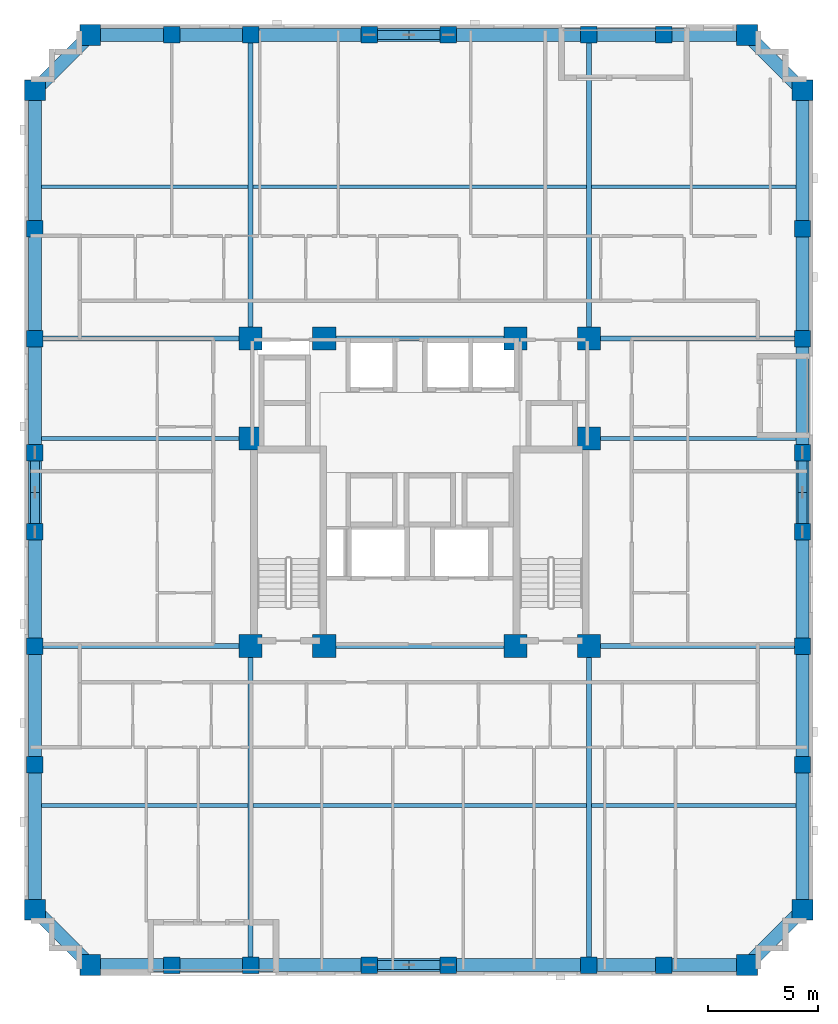
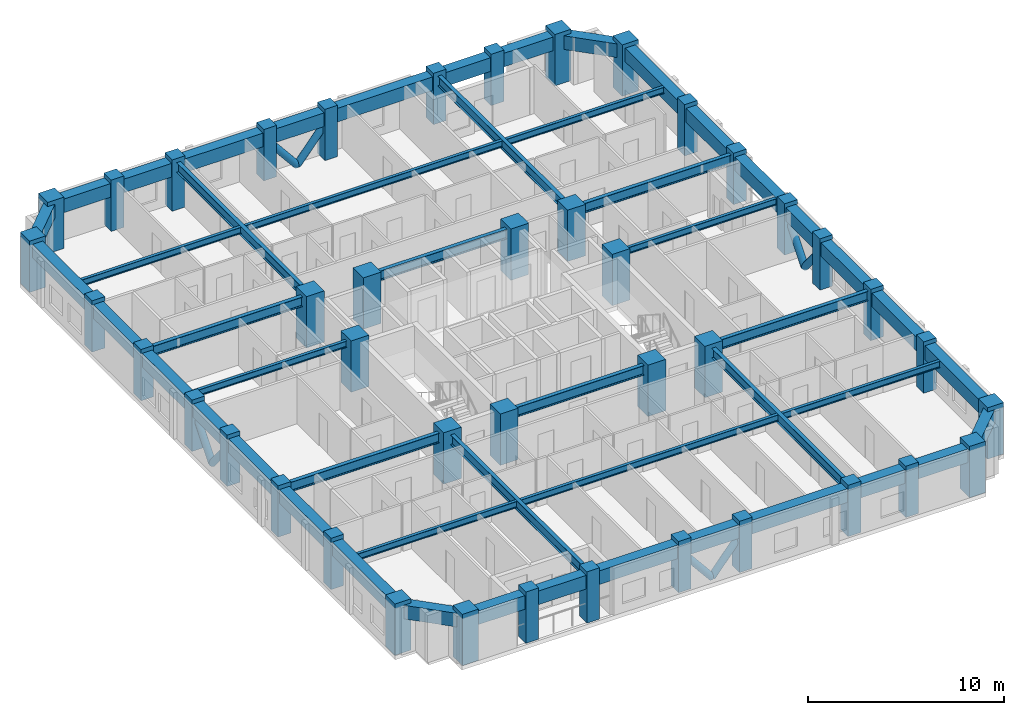
# One storey, part 1 of 12: 50 beams, 42 columns, 8 members.
"""IFC4 building model written with IfcOpenShell, lengths in metres."""

from ifc_helpers import new_model, si_unit, derived_unit, direction, frame, origin, origin_2d, place, context, subcontext, project, spatial, rectangle, hollow_circle, i_section, extrude, material, material_profile, profile_set, type_object, element, save


model = new_model("IFC4")

# Units and contexts
model_context = context("Model", 3, precision=1e-05, world=origin(), true_north=direction((0.0, 1.0)))
body_context = subcontext(model_context, "Body", "Model", "MODEL_VIEW")
ifc_project = project(units=[si_unit("LENGTHUNIT", "METRE"), si_unit("AREAUNIT", "SQUARE_METRE"), si_unit("VOLUMEUNIT", "CUBIC_METRE"), si_unit("PLANEANGLEUNIT", "RADIAN"), si_unit("MASSUNIT", "GRAM", prefix="KILO"), derived_unit("THERMALTRANSMITTANCEUNIT", [(si_unit("MASSUNIT", "GRAM", prefix="KILO"), 1), (si_unit("TIMEUNIT", "SECOND"), -3), (si_unit("THERMODYNAMICTEMPERATUREUNIT", "KELVIN"), -1)])], contexts=[model_context])

# Site, building, storey
site_placement = place(None, origin())
site = spatial("IfcSite", under=ifc_project, at=site_placement, CompositionType="ELEMENT")
building_placement = place(site_placement, origin())
building = spatial("IfcBuilding", under=site, at=building_placement, Name="Korrvale Station Residences", CompositionType="ELEMENT")
storey_placement = place(building_placement, frame((0.0, 0.0, 110.300048828125)))
storey = spatial("IfcBuildingStorey", under=building, at=storey_placement, Name="L31", CompositionType="ELEMENT", Elevation=110.300048828125)

# Columns
ifc_material_1 = material(Name="Concrete C60/75", Category="concrete")
ifc_material_profile_1 = material_profile(ifc_material_1, rectangle(XDim=1.050048828125, YDim=1.050048828125, at=origin_2d()), Name="RC1050x1050")
ifc_profile_set_1 = profile_set([ifc_material_profile_1], Name="Concrete C60/75")
column_type_1 = type_object("IfcColumnType", Name="COL-C-RC1050x1050-C6075", PredefinedType="COLUMN", material=ifc_profile_set_1)
for number, where, z_axis, x_axis, name in (
    (1, (17.800048828125, 15.0, 0.0), (0.0, 0.0, 1.0), (1.0, 0.0, 0.0), "L31 Core Column 01"),
    (2, (21.14990234375, 15.0, 0.0), (0.0, 0.0, 1.0), (1.0, 0.0, 0.0), "L31 Core Column 02"),
    (3, (29.85009765625, 15.0, 0.0), (0.0, 0.0, 1.0), (1.0, 0.0, 0.0), "L31 Core Column 03"),
    (4, (33.199951171875, 15.0, 0.0), (0.0, 0.0, 1.0), (1.0, 0.0, 0.0), "L31 Core Column 04"),
    (5, (17.800048828125, 29.0, 0.0), (0.0, 0.0, 1.0), (1.0, 0.0, 0.0), "L31 Core Column 05"),
    (6, (21.14990234375, 29.0, 0.0), (0.0, 0.0, 1.0), (1.0, 0.0, 0.0), "L31 Core Column 06"),
    (7, (29.85009765625, 29.0, 0.0), (0.0, 0.0, 1.0), (1.0, 0.0, 0.0), "L31 Core Column 07"),
    (8, (33.199951171875, 29.0, 0.0), (0.0, 0.0, 1.0), (1.0, 0.0, 0.0), "L31 Core Column 08"),
    (9, (17.800048828125, 24.449951171875, 0.0), (0.0, 0.0, 1.0), (1.0, 0.0, 0.0), "L31 Core Column 09"),
    (10, (33.199951171875, 24.449951171875, 0.0), (0.0, 0.0, 1.0), (1.0, 0.0, 0.0), "L31 Core Column 10"),
):
    element("IfcColumn", number, at=place(storey_placement, frame(where, z_axis=z_axis, x_axis=x_axis)), inside=storey, type_object=column_type_1, Name=name, PredefinedType="COLUMN", context=body_context, shape_type="SweptSolid", body=[
        extrude(rectangle(XDim=1.050048828125, YDim=1.050048828125, at=origin_2d()), origin(), (0.0, 0.0, 1.0), 3.199951171875),
    ])
ifc_material_profile_2 = material_profile(ifc_material_1, rectangle(XDim=0.75, YDim=0.75, at=origin_2d()), Name="RC750x750")
ifc_profile_set_2 = profile_set([ifc_material_profile_2], Name="Concrete C60/75")
column_type_2 = type_object("IfcColumnType", Name="COL-C-RC750x750-C6075", PredefinedType="COLUMN", material=ifc_profile_set_2)
for number, where, z_axis, x_axis, name in (
    (11, (14.199951171875, 0.47998046875, 0.0), (0.0, 0.0, 1.0), (1.0, 0.0, 0.0), "L31 Bundled-Tube South Column 02"),
    (12, (17.800048828125, 0.47998046875, 0.0), (0.0, 0.0, 1.0), (1.0, 0.0, 0.0), "L31 Bundled-Tube South Column 03"),
    (13, (23.199951171875, 0.47998046875, 0.0), (0.0, 0.0, 1.0), (1.0, 0.0, 0.0), "L31 Bundled-Tube South Column 04"),
    (14, (26.800048828125, 0.47998046875, 0.0), (0.0, 0.0, 1.0), (1.0, 0.0, 0.0), "L31 Bundled-Tube South Column 05"),
    (15, (33.199951171875, 0.47998046875, 0.0), (0.0, 0.0, 1.0), (1.0, 0.0, 0.0), "L31 Bundled-Tube South Column 06"),
    (16, (36.60009765625, 0.47998046875, 0.0), (0.0, 0.0, 1.0), (1.0, 0.0, 0.0), "L31 Bundled-Tube South Column 07"),
    (17, (14.199951171875, 42.820068359375, 0.0), (0.0, 0.0, 1.0), (1.0, 0.0, 0.0), "L31 Bundled-Tube North Column 10"),
    (18, (17.800048828125, 42.820068359375, 0.0), (0.0, 0.0, 1.0), (1.0, 0.0, 0.0), "L31 Bundled-Tube North Column 11"),
    (19, (23.199951171875, 42.820068359375, 0.0), (0.0, 0.0, 1.0), (1.0, 0.0, 0.0), "L31 Bundled-Tube North Column 12"),
    (20, (26.800048828125, 42.820068359375, 0.0), (0.0, 0.0, 1.0), (1.0, 0.0, 0.0), "L31 Bundled-Tube North Column 13"),
    (21, (33.199951171875, 42.820068359375, 0.0), (0.0, 0.0, 1.0), (1.0, 0.0, 0.0), "L31 Bundled-Tube North Column 14"),
    (22, (36.60009765625, 42.820068359375, 0.0), (0.0, 0.0, 1.0), (1.0, 0.0, 0.0), "L31 Bundled-Tube North Column 15"),
    (23, (7.97998046875, 9.60009765625, 0.0), (0.0, 0.0, 1.0), (1.0, 0.0, 0.0), "L31 Bundled-Tube West Column 18"),
    (24, (7.97998046875, 15.0, 0.0), (0.0, 0.0, 1.0), (1.0, 0.0, 0.0), "L31 Bundled-Tube West Column 19"),
    (25, (7.97998046875, 20.199951171875, 0.0), (0.0, 0.0, 1.0), (1.0, 0.0, 0.0), "L31 Bundled-Tube West Column 20"),
    (26, (7.97998046875, 23.800048828125, 0.0), (0.0, 0.0, 1.0), (1.0, 0.0, 0.0), "L31 Bundled-Tube West Column 21"),
    (27, (7.97998046875, 29.0, 0.0), (0.0, 0.0, 1.0), (1.0, 0.0, 0.0), "L31 Bundled-Tube West Column 22"),
    (28, (7.97998046875, 34.0, 0.0), (0.0, 0.0, 1.0), (1.0, 0.0, 0.0), "L31 Bundled-Tube West Column 23"),
    (29, (42.919921875, 9.60009765625, 0.0), (0.0, 0.0, 1.0), (1.0, 0.0, 0.0), "L31 Bundled-Tube East Column 26"),
    (30, (42.919921875, 15.0, 0.0), (0.0, 0.0, 1.0), (1.0, 0.0, 0.0), "L31 Bundled-Tube East Column 27"),
    (31, (42.919921875, 20.199951171875, 0.0), (0.0, 0.0, 1.0), (1.0, 0.0, 0.0), "L31 Bundled-Tube East Column 28"),
    (32, (42.919921875, 23.800048828125, 0.0), (0.0, 0.0, 1.0), (1.0, 0.0, 0.0), "L31 Bundled-Tube East Column 29"),
    (33, (42.919921875, 29.0, 0.0), (0.0, 0.0, 1.0), (1.0, 0.0, 0.0), "L31 Bundled-Tube East Column 30"),
    (34, (42.919921875, 34.0, 0.0), (0.0, 0.0, 1.0), (1.0, 0.0, 0.0), "L31 Bundled-Tube East Column 31"),
):
    element("IfcColumn", number, at=place(storey_placement, frame(where, z_axis=z_axis, x_axis=x_axis)), inside=storey, type_object=column_type_2, Name=name, PredefinedType="COLUMN", context=body_context, shape_type="SweptSolid", body=[
        extrude(rectangle(XDim=0.75, YDim=0.75, at=origin_2d()), origin(), (0.0, 0.0, 1.0), 3.199951171875),
    ])
ifc_material_profile_3 = material_profile(ifc_material_1, rectangle(XDim=0.949951171875, YDim=0.949951171875, at=origin_2d()), Name="RC950x950")
ifc_profile_set_3 = profile_set([ifc_material_profile_3], Name="Concrete C60/75")
column_type_3 = type_object("IfcColumnType", Name="COL-C-RC950x950-C6075", PredefinedType="COLUMN", material=ifc_profile_set_3)
for number, where, z_axis, x_axis, name in (
    (35, (10.5, 0.47998046875, 0.0), (0.0, 0.0, 1.0), (1.0, 0.0, 0.0), "L31 Bundled-Tube South Column 01"),
    (36, (40.39990234375, 0.47998046875, 0.0), (0.0, 0.0, 1.0), (1.0, 0.0, 0.0), "L31 Bundled-Tube South Column 08"),
    (37, (10.5, 42.820068359375, 0.0), (0.0, 0.0, 1.0), (1.0, 0.0, 0.0), "L31 Bundled-Tube North Column 09"),
    (38, (40.39990234375, 42.820068359375, 0.0), (0.0, 0.0, 1.0), (1.0, 0.0, 0.0), "L31 Bundled-Tube North Column 16"),
    (39, (7.97998046875, 3.0, 0.0), (0.0, 0.0, 1.0), (1.0, 0.0, 0.0), "L31 Bundled-Tube West Column 17"),
    (40, (7.97998046875, 40.300048828125, 0.0), (0.0, 0.0, 1.0), (1.0, 0.0, 0.0), "L31 Bundled-Tube West Column 24"),
    (41, (42.919921875, 3.0, 0.0), (0.0, 0.0, 1.0), (1.0, 0.0, 0.0), "L31 Bundled-Tube East Column 25"),
    (42, (42.919921875, 40.300048828125, 0.0), (0.0, 0.0, 1.0), (1.0, 0.0, 0.0), "L31 Bundled-Tube East Column 32"),
):
    element("IfcColumn", number, at=place(storey_placement, frame(where, z_axis=z_axis, x_axis=x_axis)), inside=storey, type_object=column_type_3, Name=name, PredefinedType="COLUMN", context=body_context, shape_type="SweptSolid", body=[
        extrude(rectangle(XDim=0.949951171875, YDim=0.949951171875, at=origin_2d()), origin(), (0.0, 0.0, 1.0), 3.199951171875),
    ])

# Beams
ifc_material_2 = material(Name="Steel S355", Category="steel")
ifc_material_profile_4 = material_profile(ifc_material_2, i_section(OverallWidth=0.22900390625, OverallDepth=0.612060546875, WebThickness=0.011962890625, FlangeThickness=0.01953125, FilletRadius=0.01904296875, at=origin_2d()), Name="W610x125")
ifc_profile_set_4 = profile_set([ifc_material_profile_4], Name="Steel S355")
beam_type_1 = type_object("IfcBeamType", Name="BM-BM-W610x125-S355", PredefinedType="BEAM", material=ifc_profile_set_4)
for number, where, z_axis, x_axis, name in (
    (43, (17.800048828125, 0.47998046875, 2.634033203125), (0.0, 1.0, 0.0), (-1.0, 0.0, 0.0), "L31 Bundled-Tube Web Girder 01"),
    (44, (33.199951171875, 0.47998046875, 2.634033203125), (0.0, 1.0, 0.0), (-1.0, 0.0, 0.0), "L31 Bundled-Tube Web Girder 02"),
):
    element("IfcBeam", number, at=place(storey_placement, frame(where, z_axis=z_axis, x_axis=x_axis)), inside=storey, type_object=beam_type_1, Name=name, PredefinedType="BEAM", context=body_context, shape_type="SweptSolid", body=[
        extrude(i_section(OverallWidth=0.22900390625, OverallDepth=0.612060546875, WebThickness=0.011962890625, FlangeThickness=0.01953125, FilletRadius=0.01904296875, at=origin_2d()), origin(), (0.0, 0.0, 1.0), 14.52001953125),
    ])
for number, where, z_axis, x_axis, name in (
    (45, (17.800048828125, 29.0, 2.634033203125), (0.0, 1.0, 0.0), (-1.0, 0.0, 0.0), "L31 Bundled-Tube Web Girder 03"),
    (46, (33.199951171875, 29.0, 2.634033203125), (0.0, 1.0, 0.0), (-1.0, 0.0, 0.0), "L31 Bundled-Tube Web Girder 04"),
):
    element("IfcBeam", number, at=place(storey_placement, frame(where, z_axis=z_axis, x_axis=x_axis)), inside=storey, type_object=beam_type_1, Name=name, PredefinedType="BEAM", context=body_context, shape_type="SweptSolid", body=[
        extrude(i_section(OverallWidth=0.22900390625, OverallDepth=0.612060546875, WebThickness=0.011962890625, FlangeThickness=0.01953125, FilletRadius=0.01904296875, at=origin_2d()), origin(), (0.0, 0.0, 1.0), 13.820068359375),
    ])
beam_1_placement = place(storey_placement, frame((7.97998046875, 15.0, 2.634033203125), z_axis=(1.0, 0.0, 0.0), x_axis=(0.0, 1.0, 0.0)))
element("IfcBeam", 47, at=beam_1_placement, inside=storey, type_object=beam_type_1, Name="L31 Bundled-Tube Web Girder 05", PredefinedType="BEAM", context=body_context, shape_type="SweptSolid", body=[
    extrude(i_section(OverallWidth=0.22900390625, OverallDepth=0.612060546875, WebThickness=0.011962890625, FlangeThickness=0.01953125, FilletRadius=0.01904296875, at=origin_2d()), origin(), (0.0, 0.0, 1.0), 9.820068359375),
])
beam_2_placement = place(storey_placement, frame((33.199951171875, 15.0, 2.634033203125), z_axis=(1.0, 0.0, 0.0), x_axis=(0.0, 1.0, 0.0)))
element("IfcBeam", 48, at=beam_2_placement, inside=storey, type_object=beam_type_1, Name="L31 Bundled-Tube Web Girder 06", PredefinedType="BEAM", context=body_context, shape_type="SweptSolid", body=[
    extrude(i_section(OverallWidth=0.22900390625, OverallDepth=0.612060546875, WebThickness=0.011962890625, FlangeThickness=0.01953125, FilletRadius=0.01904296875, at=origin_2d()), origin(), (0.0, 0.0, 1.0), 9.719970703125),
])
beam_3_placement = place(storey_placement, frame((7.97998046875, 29.0, 2.634033203125), z_axis=(1.0, 0.0, 0.0), x_axis=(0.0, 1.0, 0.0)))
element("IfcBeam", 49, at=beam_3_placement, inside=storey, type_object=beam_type_1, Name="L31 Bundled-Tube Web Girder 07", PredefinedType="BEAM", context=body_context, shape_type="SweptSolid", body=[
    extrude(i_section(OverallWidth=0.22900390625, OverallDepth=0.612060546875, WebThickness=0.011962890625, FlangeThickness=0.01953125, FilletRadius=0.01904296875, at=origin_2d()), origin(), (0.0, 0.0, 1.0), 9.820068359375),
])
beam_4_placement = place(storey_placement, frame((33.199951171875, 29.0, 2.634033203125), z_axis=(1.0, 0.0, 0.0), x_axis=(0.0, 1.0, 0.0)))
element("IfcBeam", 50, at=beam_4_placement, inside=storey, type_object=beam_type_1, Name="L31 Bundled-Tube Web Girder 08", PredefinedType="BEAM", context=body_context, shape_type="SweptSolid", body=[
    extrude(i_section(OverallWidth=0.22900390625, OverallDepth=0.612060546875, WebThickness=0.011962890625, FlangeThickness=0.01953125, FilletRadius=0.01904296875, at=origin_2d()), origin(), (0.0, 0.0, 1.0), 9.719970703125),
])
for number, where, z_axis, x_axis, name in (
    (51, (21.14990234375, 15.0, 2.634033203125), (1.0, 0.0, 0.0), (0.0, 1.0, 0.0), "L31 Bundled-Tube Web Girder 09"),
    (52, (21.14990234375, 29.0, 2.634033203125), (1.0, 0.0, 0.0), (0.0, 1.0, 0.0), "L31 Bundled-Tube Web Girder 10"),
):
    element("IfcBeam", number, at=place(storey_placement, frame(where, z_axis=z_axis, x_axis=x_axis)), inside=storey, type_object=beam_type_1, Name=name, PredefinedType="BEAM", context=body_context, shape_type="SweptSolid", body=[
        extrude(i_section(OverallWidth=0.22900390625, OverallDepth=0.612060546875, WebThickness=0.011962890625, FlangeThickness=0.01953125, FilletRadius=0.01904296875, at=origin_2d()), origin(), (0.0, 0.0, 1.0), 8.7001953125),
    ])
ifc_material_profile_5 = material_profile(ifc_material_2, i_section(OverallWidth=0.177978515625, OverallDepth=0.406982421875, WebThickness=0.0078125, FlangeThickness=0.0126953125, FilletRadius=0.01611328125, at=origin_2d()), Name="W410x60")
ifc_profile_set_5 = profile_set([ifc_material_profile_5], Name="Steel S355")
beam_type_2 = type_object("IfcBeamType", Name="BM-JST-W410x60-S355", PredefinedType="JOIST", material=ifc_profile_set_5)
beam_5_placement = place(storey_placement, frame((8.280029296875, 7.739990234375, 2.736572265625), z_axis=(1.0, 0.0, 0.0), x_axis=(0.0, 1.0, 0.0)))
element("IfcBeam", 53, at=beam_5_placement, inside=storey, type_object=beam_type_2, Name="L31 Floor Framing Joist 01", PredefinedType="JOIST", context=body_context, shape_type="SweptSolid", body=[
    extrude(i_section(OverallWidth=0.177978515625, OverallDepth=0.406982421875, WebThickness=0.0078125, FlangeThickness=0.0126953125, FilletRadius=0.01611328125, at=origin_2d()), origin(), (0.0, 0.0, 1.0), 9.405517578125),
])
beam_6_placement = place(storey_placement, frame((17.91455078125, 7.739990234375, 2.736572265625), z_axis=(1.0, 0.0, 0.0), x_axis=(0.0, 1.0, 0.0)))
element("IfcBeam", 54, at=beam_6_placement, inside=storey, type_object=beam_type_2, Name="L31 Floor Framing Joist 02", PredefinedType="JOIST", context=body_context, shape_type="SweptSolid", body=[
    extrude(i_section(OverallWidth=0.177978515625, OverallDepth=0.406982421875, WebThickness=0.0078125, FlangeThickness=0.0126953125, FilletRadius=0.01611328125, at=origin_2d()), origin(), (0.0, 0.0, 1.0), 15.1708984375),
])
beam_7_placement = place(storey_placement, frame((33.314453125, 7.739990234375, 2.736572265625), z_axis=(1.0, 0.0, 0.0), x_axis=(0.0, 1.0, 0.0)))
element("IfcBeam", 55, at=beam_7_placement, inside=storey, type_object=beam_type_2, Name="L31 Floor Framing Joist 03", PredefinedType="JOIST", context=body_context, shape_type="SweptSolid", body=[
    extrude(i_section(OverallWidth=0.177978515625, OverallDepth=0.406982421875, WebThickness=0.0078125, FlangeThickness=0.0126953125, FilletRadius=0.01611328125, at=origin_2d()), origin(), (0.0, 0.0, 1.0), 9.3056640625),
])
beam_8_placement = place(storey_placement, frame((8.280029296875, 35.909912109375, 2.736572265625), z_axis=(1.0, 0.0, 0.0), x_axis=(0.0, 1.0, 0.0)))
element("IfcBeam", 56, at=beam_8_placement, inside=storey, type_object=beam_type_2, Name="L31 Floor Framing Joist 04", PredefinedType="JOIST", context=body_context, shape_type="SweptSolid", body=[
    extrude(i_section(OverallWidth=0.177978515625, OverallDepth=0.406982421875, WebThickness=0.0078125, FlangeThickness=0.0126953125, FilletRadius=0.01611328125, at=origin_2d()), origin(), (0.0, 0.0, 1.0), 9.405517578125),
])
beam_9_placement = place(storey_placement, frame((17.91455078125, 35.909912109375, 2.736572265625), z_axis=(1.0, 0.0, 0.0), x_axis=(0.0, 1.0, 0.0)))
element("IfcBeam", 57, at=beam_9_placement, inside=storey, type_object=beam_type_2, Name="L31 Floor Framing Joist 05", PredefinedType="JOIST", context=body_context, shape_type="SweptSolid", body=[
    extrude(i_section(OverallWidth=0.177978515625, OverallDepth=0.406982421875, WebThickness=0.0078125, FlangeThickness=0.0126953125, FilletRadius=0.01611328125, at=origin_2d()), origin(), (0.0, 0.0, 1.0), 15.1708984375),
])
beam_10_placement = place(storey_placement, frame((33.314453125, 35.909912109375, 2.736572265625), z_axis=(1.0, 0.0, 0.0), x_axis=(0.0, 1.0, 0.0)))
element("IfcBeam", 58, at=beam_10_placement, inside=storey, type_object=beam_type_2, Name="L31 Floor Framing Joist 06", PredefinedType="JOIST", context=body_context, shape_type="SweptSolid", body=[
    extrude(i_section(OverallWidth=0.177978515625, OverallDepth=0.406982421875, WebThickness=0.0078125, FlangeThickness=0.0126953125, FilletRadius=0.01611328125, at=origin_2d()), origin(), (0.0, 0.0, 1.0), 9.3056640625),
])
beam_11_placement = place(storey_placement, frame((33.199951171875, 24.449951171875, 2.736572265625), z_axis=(1.0, 0.0, 0.0), x_axis=(0.0, 1.0, 0.0)))
element("IfcBeam", 59, at=beam_11_placement, inside=storey, type_object=beam_type_2, Name="L31 Floor Framing Joist 07", PredefinedType="JOIST", context=body_context, shape_type="SweptSolid", body=[
    extrude(i_section(OverallWidth=0.177978515625, OverallDepth=0.406982421875, WebThickness=0.0078125, FlangeThickness=0.0126953125, FilletRadius=0.01611328125, at=origin_2d()), origin(), (0.0, 0.0, 1.0), 9.420166015625),
])
beam_12_placement = place(storey_placement, frame((8.280029296875, 24.449951171875, 2.736572265625), z_axis=(1.0, 0.0, 0.0), x_axis=(0.0, 1.0, 0.0)))
element("IfcBeam", 60, at=beam_12_placement, inside=storey, type_object=beam_type_2, Name="L31 Floor Framing Joist 08", PredefinedType="JOIST", context=body_context, shape_type="SweptSolid", body=[
    extrude(i_section(OverallWidth=0.177978515625, OverallDepth=0.406982421875, WebThickness=0.0078125, FlangeThickness=0.0126953125, FilletRadius=0.01611328125, at=origin_2d()), origin(), (0.0, 0.0, 1.0), 9.52001953125),
])
ifc_material_profile_6 = material_profile(ifc_material_1, rectangle(XDim=0.60009765625, YDim=0.85009765625, at=origin_2d()), Name="RCB600x850")
ifc_profile_set_6 = profile_set([ifc_material_profile_6], Name="Concrete C60/75")
beam_type_3 = type_object("IfcBeamType", Name="BM-SPB-RCB600x850-C6075", PredefinedType="SPANDREL", material=ifc_profile_set_6)
beam_13_placement = place(storey_placement, frame((10.5, 0.47998046875, 2.514892578125), z_axis=(1.0, 0.0, 0.0), x_axis=(0.0, 1.0, 0.0)))
element("IfcBeam", 61, at=beam_13_placement, inside=storey, type_object=beam_type_3, Name="L31 South Tube Spandrel 01", PredefinedType="SPANDREL", context=body_context, shape_type="SweptSolid", body=[
    extrude(rectangle(XDim=0.60009765625, YDim=0.85009765625, at=origin_2d()), origin(), (0.0, 0.0, 1.0), 3.699951171875),
])
beam_14_placement = place(storey_placement, frame((14.199951171875, 0.47998046875, 2.514892578125), z_axis=(1.0, 0.0, 0.0), x_axis=(0.0, 1.0, 0.0)))
element("IfcBeam", 62, at=beam_14_placement, inside=storey, type_object=beam_type_3, Name="L31 South Tube Spandrel 02", PredefinedType="SPANDREL", context=body_context, shape_type="SweptSolid", body=[
    extrude(rectangle(XDim=0.60009765625, YDim=0.85009765625, at=origin_2d()), origin(), (0.0, 0.0, 1.0), 3.60009765625),
])
beam_15_placement = place(storey_placement, frame((17.800048828125, 0.47998046875, 2.514892578125), z_axis=(1.0, 0.0, 0.0), x_axis=(0.0, 1.0, 0.0)))
element("IfcBeam", 63, at=beam_15_placement, inside=storey, type_object=beam_type_3, Name="L31 South Tube Spandrel 03", PredefinedType="SPANDREL", context=body_context, shape_type="SweptSolid", body=[
    extrude(rectangle(XDim=0.60009765625, YDim=0.85009765625, at=origin_2d()), origin(), (0.0, 0.0, 1.0), 5.39990234375),
])
beam_16_placement = place(storey_placement, frame((23.199951171875, 0.47998046875, 2.514892578125), z_axis=(1.0, 0.0, 0.0), x_axis=(0.0, 1.0, 0.0)))
element("IfcBeam", 64, at=beam_16_placement, inside=storey, type_object=beam_type_3, Name="L31 South Tube Spandrel 04", PredefinedType="SPANDREL", context=body_context, shape_type="SweptSolid", body=[
    extrude(rectangle(XDim=0.60009765625, YDim=0.85009765625, at=origin_2d()), origin(), (0.0, 0.0, 1.0), 3.60009765625),
])
beam_17_placement = place(storey_placement, frame((26.800048828125, 0.47998046875, 2.514892578125), z_axis=(1.0, 0.0, 0.0), x_axis=(0.0, 1.0, 0.0)))
element("IfcBeam", 65, at=beam_17_placement, inside=storey, type_object=beam_type_3, Name="L31 South Tube Spandrel 05", PredefinedType="SPANDREL", context=body_context, shape_type="SweptSolid", body=[
    extrude(rectangle(XDim=0.60009765625, YDim=0.85009765625, at=origin_2d()), origin(), (0.0, 0.0, 1.0), 6.39990234375),
])
beam_18_placement = place(storey_placement, frame((33.199951171875, 0.47998046875, 2.514892578125), z_axis=(1.0, 0.0, 0.0), x_axis=(0.0, 1.0, 0.0)))
element("IfcBeam", 66, at=beam_18_placement, inside=storey, type_object=beam_type_3, Name="L31 South Tube Spandrel 06", PredefinedType="SPANDREL", context=body_context, shape_type="SweptSolid", body=[
    extrude(rectangle(XDim=0.60009765625, YDim=0.85009765625, at=origin_2d()), origin(), (0.0, 0.0, 1.0), 3.400146484375),
])
beam_19_placement = place(storey_placement, frame((36.60009765625, 0.47998046875, 2.514892578125), z_axis=(1.0, 0.0, 0.0), x_axis=(0.0, 1.0, 0.0)))
element("IfcBeam", 67, at=beam_19_placement, inside=storey, type_object=beam_type_3, Name="L31 South Tube Spandrel 07", PredefinedType="SPANDREL", context=body_context, shape_type="SweptSolid", body=[
    extrude(rectangle(XDim=0.60009765625, YDim=0.85009765625, at=origin_2d()), origin(), (0.0, 0.0, 1.0), 3.7998046875),
])
beam_20_placement = place(storey_placement, frame((10.5, 42.820068359375, 2.514892578125), z_axis=(1.0, 0.0, 0.0), x_axis=(0.0, 1.0, 0.0)))
element("IfcBeam", 68, at=beam_20_placement, inside=storey, type_object=beam_type_3, Name="L31 North Tube Spandrel 08", PredefinedType="SPANDREL", context=body_context, shape_type="SweptSolid", body=[
    extrude(rectangle(XDim=0.60009765625, YDim=0.85009765625, at=origin_2d()), origin(), (0.0, 0.0, 1.0), 3.699951171875),
])
beam_21_placement = place(storey_placement, frame((14.199951171875, 42.820068359375, 2.514892578125), z_axis=(1.0, 0.0, 0.0), x_axis=(0.0, 1.0, 0.0)))
element("IfcBeam", 69, at=beam_21_placement, inside=storey, type_object=beam_type_3, Name="L31 North Tube Spandrel 09", PredefinedType="SPANDREL", context=body_context, shape_type="SweptSolid", body=[
    extrude(rectangle(XDim=0.60009765625, YDim=0.85009765625, at=origin_2d()), origin(), (0.0, 0.0, 1.0), 3.60009765625),
])
beam_22_placement = place(storey_placement, frame((17.800048828125, 42.820068359375, 2.514892578125), z_axis=(1.0, 0.0, 0.0), x_axis=(0.0, 1.0, 0.0)))
element("IfcBeam", 70, at=beam_22_placement, inside=storey, type_object=beam_type_3, Name="L31 North Tube Spandrel 10", PredefinedType="SPANDREL", context=body_context, shape_type="SweptSolid", body=[
    extrude(rectangle(XDim=0.60009765625, YDim=0.85009765625, at=origin_2d()), origin(), (0.0, 0.0, 1.0), 5.39990234375),
])
beam_23_placement = place(storey_placement, frame((23.199951171875, 42.820068359375, 2.514892578125), z_axis=(1.0, 0.0, 0.0), x_axis=(0.0, 1.0, 0.0)))
element("IfcBeam", 71, at=beam_23_placement, inside=storey, type_object=beam_type_3, Name="L31 North Tube Spandrel 11", PredefinedType="SPANDREL", context=body_context, shape_type="SweptSolid", body=[
    extrude(rectangle(XDim=0.60009765625, YDim=0.85009765625, at=origin_2d()), origin(), (0.0, 0.0, 1.0), 3.60009765625),
])
beam_24_placement = place(storey_placement, frame((26.800048828125, 42.820068359375, 2.514892578125), z_axis=(1.0, 0.0, 0.0), x_axis=(0.0, 1.0, 0.0)))
element("IfcBeam", 72, at=beam_24_placement, inside=storey, type_object=beam_type_3, Name="L31 North Tube Spandrel 12", PredefinedType="SPANDREL", context=body_context, shape_type="SweptSolid", body=[
    extrude(rectangle(XDim=0.60009765625, YDim=0.85009765625, at=origin_2d()), origin(), (0.0, 0.0, 1.0), 6.39990234375),
])
beam_25_placement = place(storey_placement, frame((33.199951171875, 42.820068359375, 2.514892578125), z_axis=(1.0, 0.0, 0.0), x_axis=(0.0, 1.0, 0.0)))
element("IfcBeam", 73, at=beam_25_placement, inside=storey, type_object=beam_type_3, Name="L31 North Tube Spandrel 13", PredefinedType="SPANDREL", context=body_context, shape_type="SweptSolid", body=[
    extrude(rectangle(XDim=0.60009765625, YDim=0.85009765625, at=origin_2d()), origin(), (0.0, 0.0, 1.0), 3.400146484375),
])
beam_26_placement = place(storey_placement, frame((36.60009765625, 42.820068359375, 2.514892578125), z_axis=(1.0, 0.0, 0.0), x_axis=(0.0, 1.0, 0.0)))
element("IfcBeam", 74, at=beam_26_placement, inside=storey, type_object=beam_type_3, Name="L31 North Tube Spandrel 14", PredefinedType="SPANDREL", context=body_context, shape_type="SweptSolid", body=[
    extrude(rectangle(XDim=0.60009765625, YDim=0.85009765625, at=origin_2d()), origin(), (0.0, 0.0, 1.0), 3.7998046875),
])
beam_27_placement = place(storey_placement, frame((7.97998046875, 3.0, 2.514892578125), z_axis=(0.0, 1.0, 0.0), x_axis=(-1.0, 0.0, 0.0)))
element("IfcBeam", 75, at=beam_27_placement, inside=storey, type_object=beam_type_3, Name="L31 West Tube Spandrel 15", PredefinedType="SPANDREL", context=body_context, shape_type="SweptSolid", body=[
    extrude(rectangle(XDim=0.60009765625, YDim=0.85009765625, at=origin_2d()), origin(), (0.0, 0.0, 1.0), 6.60009765625),
])
beam_28_placement = place(storey_placement, frame((7.97998046875, 9.60009765625, 2.514892578125), z_axis=(0.0, 1.0, 0.0), x_axis=(-1.0, 0.0, 0.0)))
element("IfcBeam", 76, at=beam_28_placement, inside=storey, type_object=beam_type_3, Name="L31 West Tube Spandrel 16", PredefinedType="SPANDREL", context=body_context, shape_type="SweptSolid", body=[
    extrude(rectangle(XDim=0.60009765625, YDim=0.85009765625, at=origin_2d()), origin(), (0.0, 0.0, 1.0), 5.39990234375),
])
beam_29_placement = place(storey_placement, frame((7.97998046875, 15.0, 2.514892578125), z_axis=(0.0, 1.0, 0.0), x_axis=(-1.0, 0.0, 0.0)))
element("IfcBeam", 77, at=beam_29_placement, inside=storey, type_object=beam_type_3, Name="L31 West Tube Spandrel 17", PredefinedType="SPANDREL", context=body_context, shape_type="SweptSolid", body=[
    extrude(rectangle(XDim=0.60009765625, YDim=0.85009765625, at=origin_2d()), origin(), (0.0, 0.0, 1.0), 5.199951171875),
])
beam_30_placement = place(storey_placement, frame((7.97998046875, 20.199951171875, 2.514892578125), z_axis=(0.0, 1.0, 0.0), x_axis=(-1.0, 0.0, 0.0)))
element("IfcBeam", 78, at=beam_30_placement, inside=storey, type_object=beam_type_3, Name="L31 West Tube Spandrel 18", PredefinedType="SPANDREL", context=body_context, shape_type="SweptSolid", body=[
    extrude(rectangle(XDim=0.60009765625, YDim=0.85009765625, at=origin_2d()), origin(), (0.0, 0.0, 1.0), 3.60009765625),
])
beam_31_placement = place(storey_placement, frame((7.97998046875, 23.800048828125, 2.514892578125), z_axis=(0.0, 1.0, 0.0), x_axis=(-1.0, 0.0, 0.0)))
element("IfcBeam", 79, at=beam_31_placement, inside=storey, type_object=beam_type_3, Name="L31 West Tube Spandrel 19", PredefinedType="SPANDREL", context=body_context, shape_type="SweptSolid", body=[
    extrude(rectangle(XDim=0.60009765625, YDim=0.85009765625, at=origin_2d()), origin(), (0.0, 0.0, 1.0), 5.199951171875),
])
beam_32_placement = place(storey_placement, frame((7.97998046875, 29.0, 2.514892578125), z_axis=(0.0, 1.0, 0.0), x_axis=(-1.0, 0.0, 0.0)))
element("IfcBeam", 80, at=beam_32_placement, inside=storey, type_object=beam_type_3, Name="L31 West Tube Spandrel 20", PredefinedType="SPANDREL", context=body_context, shape_type="SweptSolid", body=[
    extrude(rectangle(XDim=0.60009765625, YDim=0.85009765625, at=origin_2d()), origin(), (0.0, 0.0, 1.0), 5.0),
])
beam_33_placement = place(storey_placement, frame((7.97998046875, 34.0, 2.514892578125), z_axis=(0.0, 1.0, 0.0), x_axis=(-1.0, 0.0, 0.0)))
element("IfcBeam", 81, at=beam_33_placement, inside=storey, type_object=beam_type_3, Name="L31 West Tube Spandrel 21", PredefinedType="SPANDREL", context=body_context, shape_type="SweptSolid", body=[
    extrude(rectangle(XDim=0.60009765625, YDim=0.85009765625, at=origin_2d()), origin(), (0.0, 0.0, 1.0), 6.300048828125),
])
beam_34_placement = place(storey_placement, frame((42.919921875, 3.0, 2.514892578125), z_axis=(0.0, 1.0, 0.0), x_axis=(-1.0, 0.0, 0.0)))
element("IfcBeam", 82, at=beam_34_placement, inside=storey, type_object=beam_type_3, Name="L31 East Tube Spandrel 22", PredefinedType="SPANDREL", context=body_context, shape_type="SweptSolid", body=[
    extrude(rectangle(XDim=0.60009765625, YDim=0.85009765625, at=origin_2d()), origin(), (0.0, 0.0, 1.0), 6.60009765625),
])
beam_35_placement = place(storey_placement, frame((42.919921875, 9.60009765625, 2.514892578125), z_axis=(0.0, 1.0, 0.0), x_axis=(-1.0, 0.0, 0.0)))
element("IfcBeam", 83, at=beam_35_placement, inside=storey, type_object=beam_type_3, Name="L31 East Tube Spandrel 23", PredefinedType="SPANDREL", context=body_context, shape_type="SweptSolid", body=[
    extrude(rectangle(XDim=0.60009765625, YDim=0.85009765625, at=origin_2d()), origin(), (0.0, 0.0, 1.0), 5.39990234375),
])
beam_36_placement = place(storey_placement, frame((42.919921875, 15.0, 2.514892578125), z_axis=(0.0, 1.0, 0.0), x_axis=(-1.0, 0.0, 0.0)))
element("IfcBeam", 84, at=beam_36_placement, inside=storey, type_object=beam_type_3, Name="L31 East Tube Spandrel 24", PredefinedType="SPANDREL", context=body_context, shape_type="SweptSolid", body=[
    extrude(rectangle(XDim=0.60009765625, YDim=0.85009765625, at=origin_2d()), origin(), (0.0, 0.0, 1.0), 5.199951171875),
])
beam_37_placement = place(storey_placement, frame((42.919921875, 20.199951171875, 2.514892578125), z_axis=(0.0, 1.0, 0.0), x_axis=(-1.0, 0.0, 0.0)))
element("IfcBeam", 85, at=beam_37_placement, inside=storey, type_object=beam_type_3, Name="L31 East Tube Spandrel 25", PredefinedType="SPANDREL", context=body_context, shape_type="SweptSolid", body=[
    extrude(rectangle(XDim=0.60009765625, YDim=0.85009765625, at=origin_2d()), origin(), (0.0, 0.0, 1.0), 3.60009765625),
])
beam_38_placement = place(storey_placement, frame((42.919921875, 23.800048828125, 2.514892578125), z_axis=(0.0, 1.0, 0.0), x_axis=(-1.0, 0.0, 0.0)))
element("IfcBeam", 86, at=beam_38_placement, inside=storey, type_object=beam_type_3, Name="L31 East Tube Spandrel 26", PredefinedType="SPANDREL", context=body_context, shape_type="SweptSolid", body=[
    extrude(rectangle(XDim=0.60009765625, YDim=0.85009765625, at=origin_2d()), origin(), (0.0, 0.0, 1.0), 5.199951171875),
])
beam_39_placement = place(storey_placement, frame((42.919921875, 29.0, 2.514892578125), z_axis=(0.0, 1.0, 0.0), x_axis=(-1.0, 0.0, 0.0)))
element("IfcBeam", 87, at=beam_39_placement, inside=storey, type_object=beam_type_3, Name="L31 East Tube Spandrel 27", PredefinedType="SPANDREL", context=body_context, shape_type="SweptSolid", body=[
    extrude(rectangle(XDim=0.60009765625, YDim=0.85009765625, at=origin_2d()), origin(), (0.0, 0.0, 1.0), 5.0),
])
beam_40_placement = place(storey_placement, frame((42.919921875, 34.0, 2.514892578125), z_axis=(0.0, 1.0, 0.0), x_axis=(-1.0, 0.0, 0.0)))
element("IfcBeam", 88, at=beam_40_placement, inside=storey, type_object=beam_type_3, Name="L31 East Tube Spandrel 28", PredefinedType="SPANDREL", context=body_context, shape_type="SweptSolid", body=[
    extrude(rectangle(XDim=0.60009765625, YDim=0.85009765625, at=origin_2d()), origin(), (0.0, 0.0, 1.0), 6.300048828125),
])
for number, where, z_axis, x_axis, name in (
    (89, (10.5, 0.47998046875, 2.514892578125), (-0.707106781187, 0.707106781187, 0.0), (-0.707106781187, -0.707106781187, 0.0), "L31 Serrated Corner Spandrel 29"),
    (90, (40.39990234375, 0.47998046875, 2.514892578125), (0.707106781187, 0.707106781187, 0.0), (-0.707106781187, 0.707106781187, 0.0), "L31 Serrated Corner Spandrel 30"),
    (91, (40.39990234375, 42.820068359375, 2.514892578125), (0.707106781187, -0.707106781187, 0.0), (0.707106781187, 0.707106781187, 0.0), "L31 Serrated Corner Spandrel 31"),
    (92, (10.5, 42.820068359375, 2.514892578125), (-0.707106781187, -0.707106781187, 0.0), (0.707106781187, -0.707106781187, 0.0), "L31 Serrated Corner Spandrel 32"),
):
    element("IfcBeam", number, at=place(storey_placement, frame(where, z_axis=z_axis, x_axis=x_axis)), inside=storey, type_object=beam_type_3, Name=name, PredefinedType="SPANDREL", context=body_context, shape_type="SweptSolid", body=[
        extrude(rectangle(XDim=0.60009765625, YDim=0.85009765625, at=origin_2d()), origin(), (0.0, 0.0, 1.0), 3.56396484375),
    ])

# Members
ifc_material_profile_7 = material_profile(ifc_material_2, hollow_circle(Radius=0.203125, WallThickness=0.015869140625, at=origin_2d()), Name="HSS406x16")
ifc_profile_set_7 = profile_set([ifc_material_profile_7], Name="Steel S355")
member_type = type_object("IfcMemberType", Name="MBR-BR-HSS406x16", PredefinedType="BRACE", material=ifc_profile_set_7)
for number, where, z_axis, x_axis, name in (
    (93, (25.0, 0.47998046875, 0.02001953125), (-0.634985494602, 0.0, 0.772524058942), (0.0, -1.0, 0.0), "L31 S Perimeter Tube Wind Brace 1"),
    (94, (25.0, 0.47998046875, 0.02001953125), (0.634985494602, 0.0, 0.772524058942), (0.0, 1.0, 0.0), "L31 S Perimeter Tube Wind Brace 2"),
    (95, (25.0, 42.820068359375, 0.02001953125), (-0.634985494602, 0.0, 0.772524058942), (0.0, -1.0, 0.0), "L31 N Perimeter Tube Wind Brace 1"),
    (96, (25.0, 42.820068359375, 0.02001953125), (0.634985494602, 0.0, 0.772524058942), (0.0, 1.0, 0.0), "L31 N Perimeter Tube Wind Brace 2"),
    (97, (7.97998046875, 22.0, 0.02001953125), (0.0, -0.634985494602, 0.772524058942), (1.0, 0.0, 0.0), "L31 W Perimeter Tube Wind Brace 1"),
    (98, (7.97998046875, 22.0, 0.02001953125), (0.0, 0.634985494602, 0.772524058942), (-1.0, 0.0, 0.0), "L31 W Perimeter Tube Wind Brace 2"),
    (99, (42.919921875, 22.0, 0.02001953125), (0.0, -0.634985494602, 0.772524058942), (1.0, 0.0, 0.0), "L31 E Perimeter Tube Wind Brace 1"),
    (100, (42.919921875, 22.0, 0.02001953125), (0.0, 0.634985494602, 0.772524058942), (-1.0, 0.0, 0.0), "L31 E Perimeter Tube Wind Brace 2"),
):
    element("IfcMember", number, at=place(storey_placement, frame(where, z_axis=z_axis, x_axis=x_axis)), inside=storey, type_object=member_type, Name=name, PredefinedType="BRACE", context=body_context, shape_type="SweptSolid", body=[
        extrude(hollow_circle(Radius=0.203125, WallThickness=0.015869140625, at=origin_2d()), origin(), (0.0, 0.0, 1.0), 2.834716796875),
    ])

save(model, "model.ifc")
